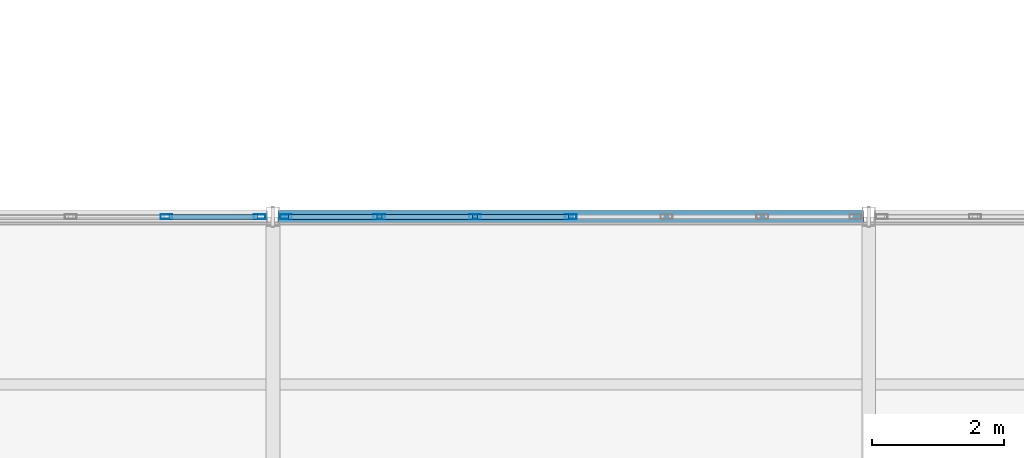
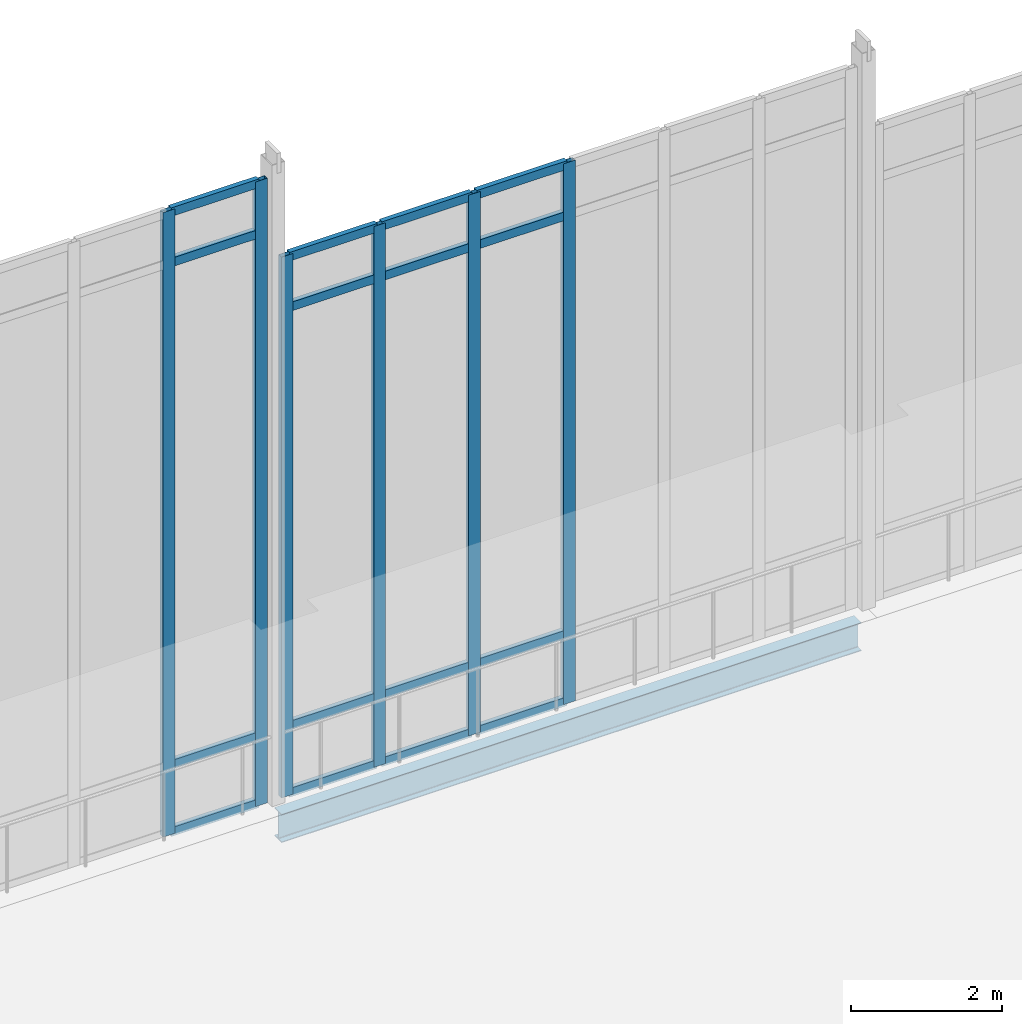
# One storey, part 49 of 166: 22 members, 1 beam, 2 elements without a shape of their own.
"""IFC4 building model written with IfcOpenShell, lengths in metres."""

import ifcopenshell
import ifcopenshell.guid

model = None  # the IFC model being written
_history = None  # IfcOwnerHistory: only IFC2X3 demands one
_inside = {}  # id of a spatial element -> (the spatial element, [elements in it])
_under = {}  # id of a project, library or spatial element -> (it, [spatial elements below it])
_declared = {}  # id of a project -> (the project, [libraries it declares])
_typed = {}  # id of a type object -> (the type object, [elements of that type])
_made_of = {}  # id of a material, layer set ... -> (it, [elements and type objects made of it])


def new_model(schema):
    """Start an empty IFC model of exactly this schema.

    Asked for "IFC4X3", IfcOpenShell would pick the latest addendum, in which some entities
    have other attributes; the version numbers below select the first issue.
    IFC2X3 requires an IfcOwnerHistory on every rooted entity: one is made here for all.
    """
    global model, _history
    if schema == "IFC4X3":
        model = ifcopenshell.file(schema_version=(4, 3, 0, 0))
    else:
        model = ifcopenshell.file(schema=schema)
    _inside.clear()
    _under.clear()
    _declared.clear()
    _typed.clear()
    _made_of.clear()
    _history = None
    if model.schema == "IFC2X3":
        org = make("IfcOrganization", Name="unknown")
        user = make(
            "IfcPersonAndOrganization",
            ThePerson=make("IfcPerson", FamilyName="unknown"),
            TheOrganization=org,
        )
        app = make(
            "IfcApplication",
            ApplicationDeveloper=org,
            Version="unknown",
            ApplicationFullName="unknown",
            ApplicationIdentifier="unknown",
        )
        _history = make(
            "IfcOwnerHistory",
            OwningUser=user,
            OwningApplication=app,
            ChangeAction="ADDED",
            CreationDate=0,
        )
    return model


def make(cls, **values):
    """One entity of the class cls with the attributes given. An attribute that is None is left unset."""
    return model.create_entity(
        cls, **{name: value for name, value in values.items() if value is not None}
    )


def rooted(cls, **values):
    """An entity with a GlobalId (a new one), such as an element, a storey or a relation."""
    return make(cls, GlobalId=ifcopenshell.guid.new(), OwnerHistory=_history, **values)


def si_unit(unit_type, name, prefix=None):
    """IfcSIUnit, for example si_unit("LENGTHUNIT", "METRE", prefix="MILLI")."""
    return make("IfcSIUnit", UnitType=unit_type, Prefix=prefix, Name=name)


def assignment(units):
    """IfcUnitAssignment: the units of a project."""
    return None if units is None else make("IfcUnitAssignment", Units=units)


def point(xyz):
    """IfcCartesianPoint."""
    return None if xyz is None else make("IfcCartesianPoint", Coordinates=xyz)


def direction(xyz):
    """IfcDirection."""
    return None if xyz is None else make("IfcDirection", DirectionRatios=xyz)


def frame(location, z_axis=None, x_axis=None):
    """IfcAxis2Placement3D, a coordinate frame: its origin and axes. An axis left out is left unset."""
    return make(
        "IfcAxis2Placement3D",
        Location=point(location),
        Axis=direction(z_axis),
        RefDirection=direction(x_axis),
    )


def frame_2d(location, x_axis=None):
    """IfcAxis2Placement2D, a coordinate frame in the plane: its origin and x axis."""
    return make(
        "IfcAxis2Placement2D", Location=point(location), RefDirection=direction(x_axis)
    )


def origin():
    """The frame at (0, 0, 0) with its axes left unset."""
    return frame((0.0, 0.0, 0.0))


def origin_2d():
    """The frame at (0, 0) in the plane with its x axis left unset."""
    return frame_2d((0.0, 0.0))


def place(relative_to, where):
    """IfcLocalPlacement: puts the frame where relative to a parent placement (None: the world)."""
    return make(
        "IfcLocalPlacement", PlacementRelTo=relative_to, RelativePlacement=where
    )


def context(
    kind, dimensions, precision=None, world=None, true_north=None, identifier=None
):
    """IfcGeometricRepresentationContext, for example the 3D "Model" context."""
    return make(
        "IfcGeometricRepresentationContext",
        ContextIdentifier=identifier,
        ContextType=kind,
        CoordinateSpaceDimension=dimensions,
        Precision=precision,
        WorldCoordinateSystem=world,
        TrueNorth=true_north,
    )


def subcontext(parent, identifier, kind, view, scale=None):
    """IfcGeometricRepresentationSubContext, for example "Body" below "Model"."""
    return make(
        "IfcGeometricRepresentationSubContext",
        ContextIdentifier=identifier,
        ContextType=kind,
        ParentContext=parent,
        TargetScale=scale,
        TargetView=view,
    )


def project(units=None, contexts=None):
    """IfcProject with its units and contexts."""
    return rooted(
        "IfcProject",
        Name="project",
        RepresentationContexts=contexts,
        UnitsInContext=assignment(units),
    )


def spatial(cls, under=None, at=None, **own):
    """A site, building, storey or space (cls), placed at a placement, below another one or the project."""
    s = rooted(cls, ObjectPlacement=at, **own)
    if under is not None:
        _under.setdefault(under.id(), (under, []))[1].append(s)
    return s


def profile(cls, at=None, kind="AREA", **sizes):
    """A parametric profile (cls). Its sizes go by their IFC names, for example OverallWidth=200.0."""
    return make(cls, ProfileType=kind, Position=at, **sizes)


def hollow_rectangle(**sizes):
    """IfcRectangleHollowProfileDef."""
    return profile("IfcRectangleHollowProfileDef", **sizes)


def i_section(**sizes):
    """IfcIShapeProfileDef."""
    return profile("IfcIShapeProfileDef", **sizes)


def extrude(swept, where, along, depth):
    """IfcExtrudedAreaSolid: the profile swept, set in the frame where, extruded along a direction by depth."""
    return make(
        "IfcExtrudedAreaSolid",
        SweptArea=swept,
        Position=where,
        ExtrudedDirection=direction(along),
        Depth=depth,
    )


def shape(context_of_items, identifier, shape_type, items):
    """IfcShapeRepresentation: the items that make up one representation, for example the "Body"."""
    return make(
        "IfcShapeRepresentation",
        ContextOfItems=context_of_items,
        RepresentationIdentifier=identifier,
        RepresentationType=shape_type,
        Items=items,
    )


def material(Name=None, Category=None):
    """IfcMaterial."""
    return make("IfcMaterial", Name=Name, Category=Category)


def material_profile(
    of_material, cross_section, Name=None, Category=None, Priority=None
):
    """IfcMaterialProfile: a cross section and its material."""
    return make(
        "IfcMaterialProfile",
        Name=Name,
        Material=of_material,
        Profile=cross_section,
        Priority=Priority,
        Category=Category,
    )


def profile_set(profiles, Name=None, composite=None):
    """IfcMaterialProfileSet."""
    return make(
        "IfcMaterialProfileSet",
        Name=Name,
        MaterialProfiles=profiles,
        CompositeProfile=composite,
    )


def made_of(thing, what):
    """Note that an element or type object is made of a material, layer set ...; save() writes the relation."""
    if what is not None:
        _made_of.setdefault(what.id(), (what, []))[1].append(thing)
    return thing


def type_object(cls, material=None, **own):
    """A type object (cls), such as IfcWallType, which elements share."""
    return made_of(rooted(cls, **own), material)


def element(
    cls,
    number,
    at=None,
    inside=None,
    cuts=None,
    type_object=None,
    material=None,
    context=None,
    identifier="Body",
    shape_type=None,
    held_by="IfcProductDefinitionShape",
    body=None,
    shapes=None,
    **own,
):
    """One element of the class cls, such as IfcWall. Its Tag is "e" and its number.

    at: its placement. inside: the storey or other place that contains it. cuts: it is an
    opening in that element (IfcRelVoidsElement). A single representation is given by context,
    identifier, shape_type and body (its items); several are given by shapes. held_by: the class
    of the entity that holds the representations. save() writes the other relations.
    """
    e = rooted(cls, Tag="e%d" % number, ObjectPlacement=at, **own)
    if body is not None:
        shapes = [shape(context, identifier, shape_type, body)]
    if shapes is not None:
        e.Representation = make(held_by, Representations=shapes)
    if inside is not None:
        _inside.setdefault(inside.id(), (inside, []))[1].append(e)
    if cuts is not None:
        rooted(
            "IfcRelVoidsElement", RelatingBuildingElement=cuts, RelatedOpeningElement=e
        )
    if type_object is not None:
        _typed.setdefault(type_object.id(), (type_object, []))[1].append(e)
    return made_of(e, material)


def aggregate(whole, parts):
    """IfcRelAggregates: a whole, such as a stair, and the parts it consists of."""
    return rooted("IfcRelAggregates", RelatingObject=whole, RelatedObjects=parts)


def save(model, path):
    """Write the relations noted so far, then the file.

    IfcRelAggregates (storeys below a building ...), IfcRelContainedInSpatialStructure (elements
    in a storey), IfcRelDefinesByType, IfcRelAssociatesMaterial and IfcRelDeclares: one each for
    every whole, place, type object, material and project.
    """
    for whole, parts in _under.values():
        aggregate(whole, parts)
    for where, things in _inside.values():
        rooted(
            "IfcRelContainedInSpatialStructure",
            RelatedElements=things,
            RelatingStructure=where,
        )
    for kind, things in _typed.values():
        rooted("IfcRelDefinesByType", RelatedObjects=things, RelatingType=kind)
    for what, things in _made_of.values():
        rooted("IfcRelAssociatesMaterial", RelatedObjects=things, RelatingMaterial=what)
    for by, libraries in _declared.values():
        rooted("IfcRelDeclares", RelatingContext=by, RelatedDefinitions=libraries)
    model.write(path)


model = new_model("IFC4")

# Units and contexts
model_context = context("Model", 3, precision=1e-05, world=origin(), true_north=direction((0.0, 1.0)))
body_context = subcontext(model_context, "Body", "Model", "MODEL_VIEW")
ifc_project = project(units=[si_unit("LENGTHUNIT", "METRE"), si_unit("AREAUNIT", "SQUARE_METRE"), si_unit("VOLUMEUNIT", "CUBIC_METRE"), si_unit("PLANEANGLEUNIT", "RADIAN"), si_unit("MASSUNIT", "GRAM", prefix="KILO")], contexts=[model_context])

# Site, building, storey
site_placement = place(None, origin())
site = spatial("IfcSite", under=ifc_project, at=site_placement, CompositionType="ELEMENT")
building_placement = place(site_placement, origin())
building = spatial("IfcBuilding", under=site, at=building_placement, Name="Caisbarro Railhouse Central Library", CompositionType="ELEMENT")
storey_placement = place(building_placement, frame((0.0, 0.0, 9.360107421875)))
storey = spatial("IfcBuildingStorey", under=building, at=storey_placement, Name="L02", CompositionType="ELEMENT", Elevation=9.360107421875)

# Beam
ifc_material_1 = material(Name="Steel ASTM A572 Grade 50", Category="steel")
ifc_material_profile_1 = material_profile(ifc_material_1, i_section(OverallWidth=0.18994140625, OverallDepth=0.45703125, WebThickness=0.009033203125, FlangeThickness=0.014404296875, FilletRadius=0.01806640625, at=origin_2d()), Name="W460X74.0")
ifc_profile_set_1 = profile_set([ifc_material_profile_1], Name="Steel ASTM A572 Grade 50")
beam_type = type_object("IfcBeamType", Name="BM-SP01", PredefinedType="SPANDREL", material=ifc_profile_set_1)
beam_placement = place(storey_placement, frame((27.080078125, 60.800048828125, -0.448486328125), z_axis=(1.0, 0.0, 0.0), x_axis=(0.0, 1.0, 0.0)))
element("IfcBeam", 1, at=beam_placement, inside=storey, type_object=beam_type, Name="SP01 beam L02 #1383", PredefinedType="SPANDREL", context=body_context, shape_type="SweptSolid", body=[
    extrude(i_section(OverallWidth=0.18994140625, OverallDepth=0.45703125, WebThickness=0.009033203125, FlangeThickness=0.014404296875, FilletRadius=0.01806640625, at=origin_2d()), origin(), (0.0, 0.0, 1.0), 8.83984375),
])

# Curtain wall, members
ifc_material_2 = material(Name="Anodised architectural aluminium", Category="aluminium")
curtain_wall_type = type_object("IfcCurtainWallType", Name="CW-CW05", PredefinedType="NOTDEFINED", material=ifc_material_2)
curtain_wall_1_placement = place(storey_placement, origin())
curtain_wall_1 = element("IfcCurtainWall", 2, at=curtain_wall_1_placement, inside=storey, type_object=curtain_wall_type, Name="CW05 curtain wall L02 #8", PredefinedType="NOTDEFINED")
ifc_material_profile_2 = material_profile(ifc_material_2, hollow_rectangle(XDim=0.074951171875, YDim=0.179931640625, WallThickness=0.00439453125, at=origin_2d()), Name="ALU-MUL-75X180")
ifc_profile_set_2 = profile_set([ifc_material_profile_2], Name="Anodised architectural aluminium")
member_type_1 = type_object("IfcMemberType", Name="CWM-M01", PredefinedType="MULLION", material=ifc_profile_set_2)
member_1_placement = place(storey_placement, frame((25.393310546875, 60.800048828125, 0.0), z_axis=(0.0, 0.0, 1.0), x_axis=(0.0, 1.0, 0.0)))
member_1 = element("IfcMember", 3, at=member_1_placement, type_object=member_type_1, Name="CW05 mullion 6", PredefinedType="MULLION", context=body_context, shape_type="SweptSolid", body=[
    extrude(hollow_rectangle(XDim=0.074951171875, YDim=0.179931640625, WallThickness=0.00439453125, at=origin_2d()), origin(), (0.0, 0.0, 1.0), 10.06982421875),
])
member_2_placement = place(storey_placement, frame((26.802490234375, 60.800048828125, 0.0), z_axis=(0.0, 0.0, 1.0), x_axis=(0.0, 1.0, 0.0)))
member_2 = element("IfcMember", 4, at=member_2_placement, type_object=member_type_1, Name="CW05 mullion 7", PredefinedType="MULLION", context=body_context, shape_type="SweptSolid", body=[
    extrude(hollow_rectangle(XDim=0.074951171875, YDim=0.179931640625, WallThickness=0.00439453125, at=origin_2d()), origin(), (0.0, 0.0, 1.0), 10.06982421875),
])

curtain_wall_2_placement = place(storey_placement, origin())
curtain_wall_2 = element("IfcCurtainWall", 5, at=curtain_wall_2_placement, inside=storey, type_object=curtain_wall_type, Name="CW05 curtain wall L02 #11", PredefinedType="NOTDEFINED")
member_3_placement = place(storey_placement, frame((27.197509765625, 60.800048828125, 0.0), z_axis=(0.0, 0.0, 1.0), x_axis=(0.0, 1.0, 0.0)))
member_3 = element("IfcMember", 6, at=member_3_placement, type_object=member_type_1, Name="CW05 mullion 1", PredefinedType="MULLION", context=body_context, shape_type="SweptSolid", body=[
    extrude(hollow_rectangle(XDim=0.074951171875, YDim=0.179931640625, WallThickness=0.00439453125, at=origin_2d()), origin(), (0.0, 0.0, 1.0), 8.719970703125),
])
member_4_placement = place(storey_placement, frame((28.606689453125, 60.800048828125, 0.0), z_axis=(0.0, 0.0, 1.0), x_axis=(0.0, 1.0, 0.0)))
member_4 = element("IfcMember", 7, at=member_4_placement, type_object=member_type_1, Name="CW05 mullion 2", PredefinedType="MULLION", context=body_context, shape_type="SweptSolid", body=[
    extrude(hollow_rectangle(XDim=0.074951171875, YDim=0.179931640625, WallThickness=0.00439453125, at=origin_2d()), origin(), (0.0, 0.0, 1.0), 8.719970703125),
])
member_5_placement = place(storey_placement, frame((30.05322265625, 60.800048828125, 0.0), z_axis=(0.0, 0.0, 1.0), x_axis=(0.0, 1.0, 0.0)))
member_5 = element("IfcMember", 8, at=member_5_placement, type_object=member_type_1, Name="CW05 mullion 3", PredefinedType="MULLION", context=body_context, shape_type="SweptSolid", body=[
    extrude(hollow_rectangle(XDim=0.074951171875, YDim=0.179931640625, WallThickness=0.00439453125, at=origin_2d()), origin(), (0.0, 0.0, 1.0), 8.719970703125),
])
member_6_placement = place(storey_placement, frame((31.5, 60.800048828125, 0.0), z_axis=(0.0, 0.0, 1.0), x_axis=(0.0, 1.0, 0.0)))
member_6 = element("IfcMember", 9, at=member_6_placement, type_object=member_type_1, Name="CW05 mullion 4", PredefinedType="MULLION", context=body_context, shape_type="SweptSolid", body=[
    extrude(hollow_rectangle(XDim=0.074951171875, YDim=0.179931640625, WallThickness=0.00439453125, at=origin_2d()), origin(), (0.0, 0.0, 1.0), 8.719970703125),
])

# Member
ifc_material_profile_3 = material_profile(ifc_material_2, hollow_rectangle(XDim=0.074951171875, YDim=0.139892578125, WallThickness=0.00390625, at=origin_2d()), Name="ALU-TRN-75X140")
ifc_profile_set_3 = profile_set([ifc_material_profile_3], Name="Anodised architectural aluminium")
member_type_2 = type_object("IfcMemberType", Name="CWT-T01", PredefinedType="USERDEFINED", material=ifc_profile_set_3)
member_7_placement = place(storey_placement, frame((25.430908203125, 60.800048828125, 0.037353515625), z_axis=(1.0, 0.0, 0.0), x_axis=(0.0, 1.0, 0.0)))
member_7 = element("IfcMember", 10, at=member_7_placement, type_object=member_type_2, Name="CW05 transom 6.1", ObjectType="TRANSOM", PredefinedType="USERDEFINED", context=body_context, shape_type="SweptSolid", body=[
    extrude(hollow_rectangle(XDim=0.074951171875, YDim=0.139892578125, WallThickness=0.00390625, at=origin_2d()), origin(), (0.0, 0.0, 1.0), 1.333984375),
])

member_8_placement = place(storey_placement, frame((25.430908203125, 60.800048828125, 1.119873046875), z_axis=(1.0, 0.0, 0.0), x_axis=(0.0, 1.0, 0.0)))
member_8 = element("IfcMember", 11, at=member_8_placement, type_object=member_type_2, Name="CW05 transom 6.2", ObjectType="TRANSOM", PredefinedType="USERDEFINED", context=body_context, shape_type="SweptSolid", body=[
    extrude(hollow_rectangle(XDim=0.074951171875, YDim=0.139892578125, WallThickness=0.00390625, at=origin_2d()), origin(), (0.0, 0.0, 1.0), 1.333984375),
])

member_9_placement = place(storey_placement, frame((25.430908203125, 60.800048828125, 9.219970703125), z_axis=(1.0, 0.0, 0.0), x_axis=(0.0, 1.0, 0.0)))
member_9 = element("IfcMember", 12, at=member_9_placement, type_object=member_type_2, Name="CW05 transom 6.3", ObjectType="TRANSOM", PredefinedType="USERDEFINED", context=body_context, shape_type="SweptSolid", body=[
    extrude(hollow_rectangle(XDim=0.074951171875, YDim=0.139892578125, WallThickness=0.00390625, at=origin_2d()), origin(), (0.0, 0.0, 1.0), 1.333984375),
])

member_10_placement = place(storey_placement, frame((25.430908203125, 60.800048828125, 10.032470703125), z_axis=(1.0, 0.0, 0.0), x_axis=(0.0, 1.0, 0.0)))
member_10 = element("IfcMember", 13, at=member_10_placement, type_object=member_type_2, Name="CW05 transom 6.4", ObjectType="TRANSOM", PredefinedType="USERDEFINED", context=body_context, shape_type="SweptSolid", body=[
    extrude(hollow_rectangle(XDim=0.074951171875, YDim=0.139892578125, WallThickness=0.00390625, at=origin_2d()), origin(), (0.0, 0.0, 1.0), 1.333984375),
])

aggregate(curtain_wall_1, [member_1, member_2, member_7, member_8, member_9, member_10])

member_11_placement = place(storey_placement, frame((27.235107421875, 60.800048828125, 0.037353515625), z_axis=(1.0, 0.0, 0.0), x_axis=(0.0, 1.0, 0.0)))
member_11 = element("IfcMember", 14, at=member_11_placement, type_object=member_type_2, Name="CW05 transom 1.1", ObjectType="TRANSOM", PredefinedType="USERDEFINED", context=body_context, shape_type="SweptSolid", body=[
    extrude(hollow_rectangle(XDim=0.074951171875, YDim=0.139892578125, WallThickness=0.00390625, at=origin_2d()), origin(), (0.0, 0.0, 1.0), 1.333984375),
])

member_12_placement = place(storey_placement, frame((27.235107421875, 60.800048828125, 1.119873046875), z_axis=(1.0, 0.0, 0.0), x_axis=(0.0, 1.0, 0.0)))
member_12 = element("IfcMember", 15, at=member_12_placement, type_object=member_type_2, Name="CW05 transom 1.2", ObjectType="TRANSOM", PredefinedType="USERDEFINED", context=body_context, shape_type="SweptSolid", body=[
    extrude(hollow_rectangle(XDim=0.074951171875, YDim=0.139892578125, WallThickness=0.00390625, at=origin_2d()), origin(), (0.0, 0.0, 1.0), 1.333984375),
])

member_13_placement = place(storey_placement, frame((27.235107421875, 60.800048828125, 7.869873046875), z_axis=(1.0, 0.0, 0.0), x_axis=(0.0, 1.0, 0.0)))
member_13 = element("IfcMember", 16, at=member_13_placement, type_object=member_type_2, Name="CW05 transom 1.3", ObjectType="TRANSOM", PredefinedType="USERDEFINED", context=body_context, shape_type="SweptSolid", body=[
    extrude(hollow_rectangle(XDim=0.074951171875, YDim=0.139892578125, WallThickness=0.00390625, at=origin_2d()), origin(), (0.0, 0.0, 1.0), 1.333984375),
])

member_14_placement = place(storey_placement, frame((27.235107421875, 60.800048828125, 8.682373046875), z_axis=(1.0, 0.0, 0.0), x_axis=(0.0, 1.0, 0.0)))
member_14 = element("IfcMember", 17, at=member_14_placement, type_object=member_type_2, Name="CW05 transom 1.4", ObjectType="TRANSOM", PredefinedType="USERDEFINED", context=body_context, shape_type="SweptSolid", body=[
    extrude(hollow_rectangle(XDim=0.074951171875, YDim=0.139892578125, WallThickness=0.00390625, at=origin_2d()), origin(), (0.0, 0.0, 1.0), 1.333984375),
])

member_15_placement = place(storey_placement, frame((28.644287109375, 60.800048828125, 0.037353515625), z_axis=(1.0, 0.0, 0.0), x_axis=(0.0, 1.0, 0.0)))
member_15 = element("IfcMember", 18, at=member_15_placement, type_object=member_type_2, Name="CW05 transom 2.1", ObjectType="TRANSOM", PredefinedType="USERDEFINED", context=body_context, shape_type="SweptSolid", body=[
    extrude(hollow_rectangle(XDim=0.074951171875, YDim=0.139892578125, WallThickness=0.00390625, at=origin_2d()), origin(), (0.0, 0.0, 1.0), 1.37158203125),
])

member_16_placement = place(storey_placement, frame((28.644287109375, 60.800048828125, 1.119873046875), z_axis=(1.0, 0.0, 0.0), x_axis=(0.0, 1.0, 0.0)))
member_16 = element("IfcMember", 19, at=member_16_placement, type_object=member_type_2, Name="CW05 transom 2.2", ObjectType="TRANSOM", PredefinedType="USERDEFINED", context=body_context, shape_type="SweptSolid", body=[
    extrude(hollow_rectangle(XDim=0.074951171875, YDim=0.139892578125, WallThickness=0.00390625, at=origin_2d()), origin(), (0.0, 0.0, 1.0), 1.37158203125),
])

member_17_placement = place(storey_placement, frame((28.644287109375, 60.800048828125, 7.869873046875), z_axis=(1.0, 0.0, 0.0), x_axis=(0.0, 1.0, 0.0)))
member_17 = element("IfcMember", 20, at=member_17_placement, type_object=member_type_2, Name="CW05 transom 2.3", ObjectType="TRANSOM", PredefinedType="USERDEFINED", context=body_context, shape_type="SweptSolid", body=[
    extrude(hollow_rectangle(XDim=0.074951171875, YDim=0.139892578125, WallThickness=0.00390625, at=origin_2d()), origin(), (0.0, 0.0, 1.0), 1.37158203125),
])

member_18_placement = place(storey_placement, frame((28.644287109375, 60.800048828125, 8.682373046875), z_axis=(1.0, 0.0, 0.0), x_axis=(0.0, 1.0, 0.0)))
member_18 = element("IfcMember", 21, at=member_18_placement, type_object=member_type_2, Name="CW05 transom 2.4", ObjectType="TRANSOM", PredefinedType="USERDEFINED", context=body_context, shape_type="SweptSolid", body=[
    extrude(hollow_rectangle(XDim=0.074951171875, YDim=0.139892578125, WallThickness=0.00390625, at=origin_2d()), origin(), (0.0, 0.0, 1.0), 1.37158203125),
])

member_19_placement = place(storey_placement, frame((30.0908203125, 60.800048828125, 0.037353515625), z_axis=(1.0, 0.0, 0.0), x_axis=(0.0, 1.0, 0.0)))
member_19 = element("IfcMember", 22, at=member_19_placement, type_object=member_type_2, Name="CW05 transom 3.1", ObjectType="TRANSOM", PredefinedType="USERDEFINED", context=body_context, shape_type="SweptSolid", body=[
    extrude(hollow_rectangle(XDim=0.074951171875, YDim=0.139892578125, WallThickness=0.00390625, at=origin_2d()), origin(), (0.0, 0.0, 1.0), 1.37158203125),
])

member_20_placement = place(storey_placement, frame((30.0908203125, 60.800048828125, 1.119873046875), z_axis=(1.0, 0.0, 0.0), x_axis=(0.0, 1.0, 0.0)))
member_20 = element("IfcMember", 23, at=member_20_placement, type_object=member_type_2, Name="CW05 transom 3.2", ObjectType="TRANSOM", PredefinedType="USERDEFINED", context=body_context, shape_type="SweptSolid", body=[
    extrude(hollow_rectangle(XDim=0.074951171875, YDim=0.139892578125, WallThickness=0.00390625, at=origin_2d()), origin(), (0.0, 0.0, 1.0), 1.37158203125),
])

member_21_placement = place(storey_placement, frame((30.0908203125, 60.800048828125, 7.869873046875), z_axis=(1.0, 0.0, 0.0), x_axis=(0.0, 1.0, 0.0)))
member_21 = element("IfcMember", 24, at=member_21_placement, type_object=member_type_2, Name="CW05 transom 3.3", ObjectType="TRANSOM", PredefinedType="USERDEFINED", context=body_context, shape_type="SweptSolid", body=[
    extrude(hollow_rectangle(XDim=0.074951171875, YDim=0.139892578125, WallThickness=0.00390625, at=origin_2d()), origin(), (0.0, 0.0, 1.0), 1.37158203125),
])

member_22_placement = place(storey_placement, frame((30.0908203125, 60.800048828125, 8.682373046875), z_axis=(1.0, 0.0, 0.0), x_axis=(0.0, 1.0, 0.0)))
member_22 = element("IfcMember", 25, at=member_22_placement, type_object=member_type_2, Name="CW05 transom 3.4", ObjectType="TRANSOM", PredefinedType="USERDEFINED", context=body_context, shape_type="SweptSolid", body=[
    extrude(hollow_rectangle(XDim=0.074951171875, YDim=0.139892578125, WallThickness=0.00390625, at=origin_2d()), origin(), (0.0, 0.0, 1.0), 1.37158203125),
])

aggregate(curtain_wall_2, [member_3, member_4, member_5, member_6, member_11, member_12, member_13, member_14, member_15, member_16, member_17, member_18, member_19, member_20, member_21, member_22])

save(model, "model.ifc")
